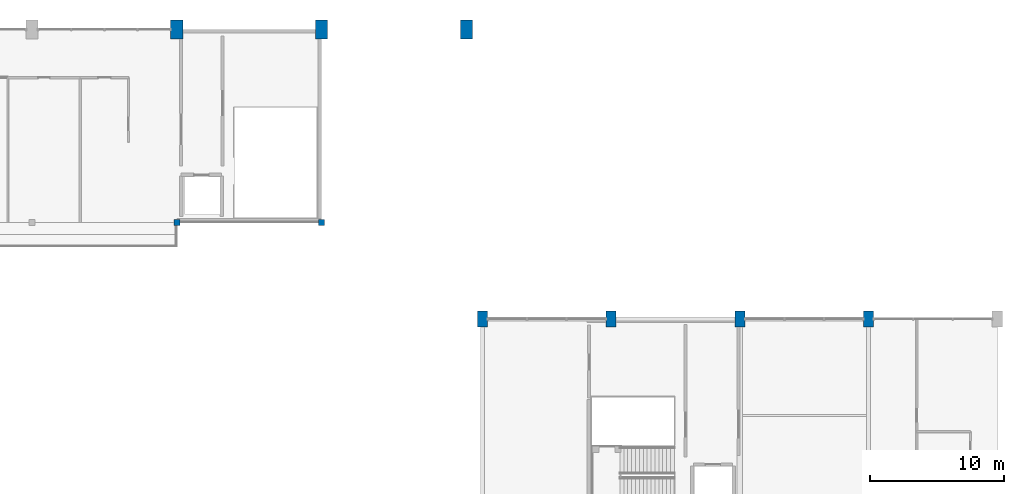
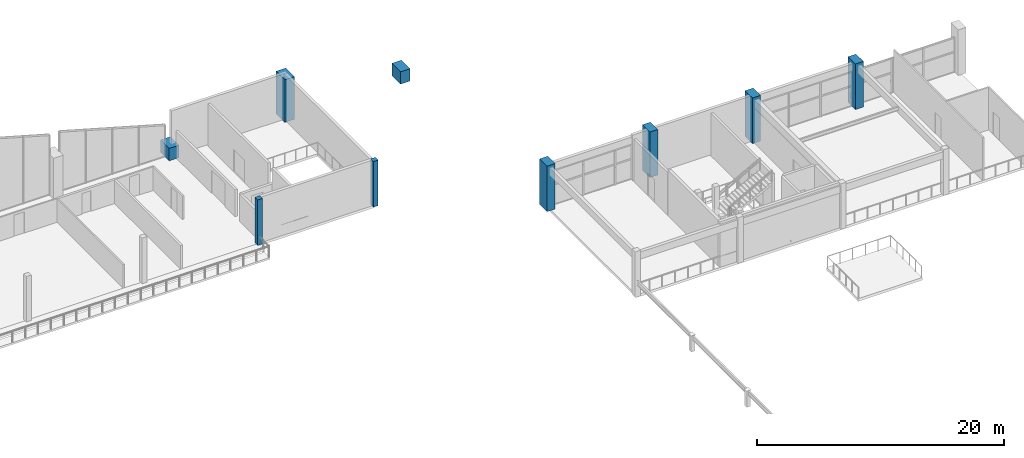
# One storey, part 6 of 89: 9 columns.
"""IFC4 building model written with IfcOpenShell, lengths in metres."""

from ifc_helpers import new_model, si_unit, direction, frame, origin, origin_2d, place, context, subcontext, project, spatial, rectangle, extrude, material, material_profile, profile_set, type_object, element, save


model = new_model("IFC4")

# Units and contexts
model_context = context("Model", 3, precision=1e-05, world=origin(), true_north=direction((0.0, 1.0)))
body_context = subcontext(model_context, "Body", "Model", "MODEL_VIEW")
ifc_project = project(units=[si_unit("LENGTHUNIT", "METRE"), si_unit("AREAUNIT", "SQUARE_METRE"), si_unit("VOLUMEUNIT", "CUBIC_METRE"), si_unit("PLANEANGLEUNIT", "RADIAN"), si_unit("MASSUNIT", "GRAM", prefix="KILO")], contexts=[model_context])

# Site, building, storey
site_placement = place(None, origin())
site = spatial("IfcSite", under=ifc_project, at=site_placement, CompositionType="ELEMENT")
building_placement = place(site_placement, origin())
building = spatial("IfcBuilding", under=site, at=building_placement, Name="Suirenkawa Promenade Aquatics Centre", CompositionType="ELEMENT")
storey_placement = place(building_placement, frame((0.0, 0.0, 9.60009765625)))
storey = spatial("IfcBuildingStorey", under=building, at=storey_placement, Name="L02", CompositionType="ELEMENT", Elevation=9.60009765625)

# Columns
ifc_material = material(Name="Concrete M40", Category="concrete")
ifc_material_profile_1 = material_profile(ifc_material, rectangle(XDim=0.75, YDim=1.199951171875, at=origin_2d()), Name="RC PIER 750x1200", Category="concrete")
ifc_profile_set_1 = profile_set([ifc_material_profile_1], Name="Concrete M40")
column_type_1 = type_object("IfcColumnType", Name="CT-PIER-750x1200", PredefinedType="COLUMN", material=ifc_profile_set_1)
for number, where, z_axis, x_axis, name in (
    (1, (156.0, 100.800048828125, 0.0), (0.0, 0.0, 1.0), (1.0, 0.0, 0.0), "Column CL-08 COL-0014"),
    (2, (165.60009765625, 100.800048828125, 0.0), (0.0, 0.0, 1.0), (1.0, 0.0, 0.0), "Column CL-08 COL-0019"),
    (3, (175.199951171875, 100.800048828125, 0.0), (0.0, 0.0, 1.0), (1.0, 0.0, 0.0), "Column CL-08 COL-0024"),
    (4, (184.800048828125, 100.800048828125, 0.0), (0.0, 0.0, 1.0), (1.0, 0.0, 0.0), "Column CL-08 COL-0029"),
):
    element("IfcColumn", number, at=place(storey_placement, frame(where, z_axis=z_axis, x_axis=x_axis)), inside=storey, type_object=column_type_1, Name=name, PredefinedType="COLUMN", context=body_context, shape_type="SweptSolid", body=[
        extrude(rectangle(XDim=0.75, YDim=1.199951171875, at=origin_2d()), origin(), (0.0, 0.0, 1.0), 4.5),
    ])
ifc_material_profile_2 = material_profile(ifc_material, rectangle(XDim=0.89990234375, YDim=1.39990234375, at=origin_2d()), Name="RC PIER 900x1400", Category="concrete")
ifc_profile_set_2 = profile_set([ifc_material_profile_2], Name="Concrete M40")
column_type_2 = type_object("IfcColumnType", Name="CT-PIER-900x1400", PredefinedType="COLUMN", material=ifc_profile_set_2)
column_1_placement = place(storey_placement, frame((133.199951171875, 122.39990234375, 0.0), z_axis=(0.0, 0.0, 1.0), x_axis=(1.0, 0.0, 0.0)))
element("IfcColumn", 5, at=column_1_placement, inside=storey, type_object=column_type_2, Name="Column CL-09 COL-0071", PredefinedType="COLUMN", context=body_context, shape_type="SweptSolid", body=[
    extrude(rectangle(XDim=0.89990234375, YDim=1.39990234375, at=origin_2d()), origin(), (0.0, 0.0, 1.0), 1.224853515625),
])
column_2_placement = place(storey_placement, frame((144.0, 122.39990234375, 0.0), z_axis=(0.0, 0.0, 1.0), x_axis=(1.0, 0.0, 0.0)))
element("IfcColumn", 6, at=column_2_placement, inside=storey, type_object=column_type_2, Name="Column CL-09 COL-0075", PredefinedType="COLUMN", context=body_context, shape_type="SweptSolid", body=[
    extrude(rectangle(XDim=0.89990234375, YDim=1.39990234375, at=origin_2d()), origin(), (0.0, 0.0, 1.0), 4.224853515625),
])
column_3_placement = place(storey_placement, frame((154.800048828125, 122.39990234375, 0.0), z_axis=(0.0, 0.0, 1.0), x_axis=(1.0, 0.0, 0.0)))
element("IfcColumn", 7, at=column_3_placement, inside=storey, type_object=column_type_2, Name="Column CL-09 COL-0079", PredefinedType="COLUMN", context=body_context, shape_type="SweptSolid", body=[
    extrude(rectangle(XDim=0.89990234375, YDim=1.39990234375, at=origin_2d()), origin(), (0.0, 0.0, 1.0), 1.224853515625),
])
ifc_material_profile_3 = material_profile(ifc_material, rectangle(XDim=0.449951171875, YDim=0.449951171875, at=origin_2d()), Name="RC COL 450x450", Category="concrete")
ifc_profile_set_3 = profile_set([ifc_material_profile_3], Name="Concrete M40")
column_type_3 = type_object("IfcColumnType", Name="CT-RC-450", PredefinedType="COLUMN", material=ifc_profile_set_3)
for number, where, z_axis, x_axis, name in (
    (8, (133.199951171875, 108.0, 0.0), (0.0, 0.0, 1.0), (1.0, 0.0, 0.0), "Column CL-01 COL-0607"),
    (9, (144.0, 108.0, 0.0), (0.0, 0.0, 1.0), (1.0, 0.0, 0.0), "Column CL-01 COL-0611"),
):
    element("IfcColumn", number, at=place(storey_placement, frame(where, z_axis=z_axis, x_axis=x_axis)), inside=storey, type_object=column_type_3, Name=name, PredefinedType="COLUMN", context=body_context, shape_type="SweptSolid", body=[
        extrude(rectangle(XDim=0.449951171875, YDim=0.449951171875, at=origin_2d()), origin(), (0.0, 0.0, 1.0), 4.5),
    ])

save(model, "model.ifc")
